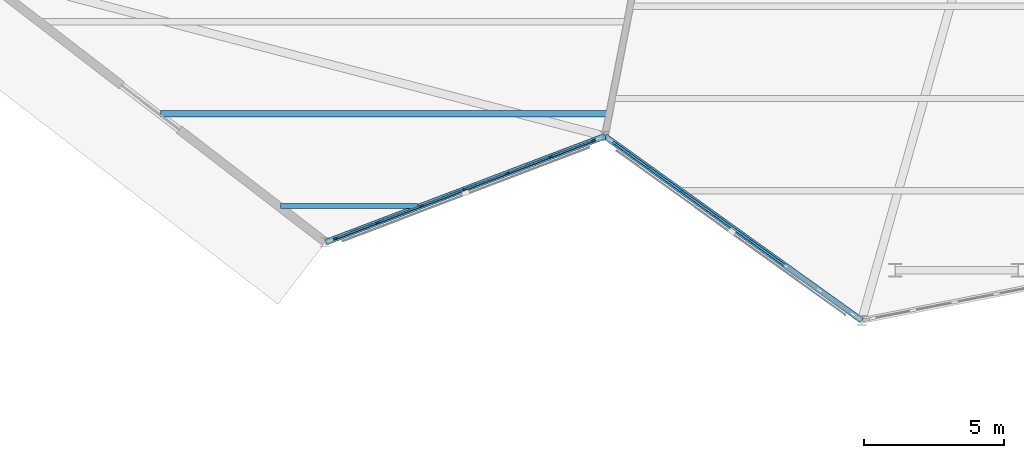
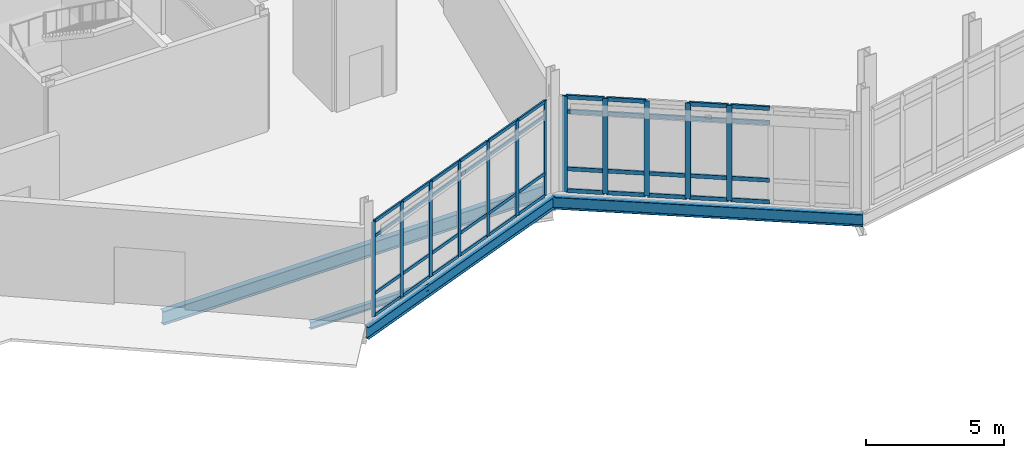
# One storey, part 36 of 113: 55 members, 4 beams, 2 elements without a shape of their own.
"""IFC4 building model written with IfcOpenShell, lengths in metres."""

from ifc_helpers import new_model, si_unit, direction, frame, origin, origin_2d, place, context, subcontext, project, spatial, rectangle, i_section, extrude, material, material_profile, profile_set, type_object, element, aggregate, save


model = new_model("IFC4")

# Units and contexts
model_context = context("Model", 3, precision=1e-05, world=origin(), true_north=direction((0.0, 1.0)))
body_context = subcontext(model_context, "Body", "Model", "MODEL_VIEW")
ifc_project = project(units=[si_unit("LENGTHUNIT", "METRE"), si_unit("AREAUNIT", "SQUARE_METRE"), si_unit("VOLUMEUNIT", "CUBIC_METRE"), si_unit("PLANEANGLEUNIT", "RADIAN"), si_unit("MASSUNIT", "GRAM", prefix="KILO")], contexts=[model_context])

# Site, building, storey
site_placement = place(None, origin())
site = spatial("IfcSite", under=ifc_project, at=site_placement, CompositionType="ELEMENT")
building_placement = place(site_placement, origin())
building = spatial("IfcBuilding", under=site, at=building_placement, Name="Tameran Prism Museum", CompositionType="ELEMENT")
storey_placement = place(building_placement, origin())
storey = spatial("IfcBuildingStorey", under=building, at=storey_placement, Name="L00", CompositionType="ELEMENT", Elevation=0.0)

# Beams
ifc_material_1 = material(Name="Steel Grade 300PLUS (300 MPa)", Category="steel")
ifc_material_profile_1 = material_profile(ifc_material_1, i_section(OverallWidth=0.166015625, OverallDepth=0.306884765625, WebThickness=0.006591796875, FlangeThickness=0.01171875, FilletRadius=0.011474609375, at=origin_2d()))
ifc_profile_set_1 = profile_set([ifc_material_profile_1])
beam_type_1 = type_object("IfcBeamType", Name="BM-J310A", PredefinedType="JOIST", material=ifc_profile_set_1)
beam_1_placement = place(storey_placement, frame((109.076904296875, 19.800048828125, -0.3935546875), z_axis=(1.0, 0.0, 0.0), x_axis=(0.0, 1.0, 0.0)))
element("IfcBeam", 1, at=beam_1_placement, inside=storey, type_object=beam_type_1, Name="Floor Beam BM-0228", PredefinedType="JOIST", context=body_context, shape_type="SweptSolid", body=[
    extrude(i_section(OverallWidth=0.166015625, OverallDepth=0.306884765625, WebThickness=0.006591796875, FlangeThickness=0.01171875, FilletRadius=0.011474609375, at=origin_2d()), origin(), (0.0, 0.0, 1.0), 4.93115234375),
])
ifc_material_2 = material(Name="Steel Grade 300PLUS (300 MPa)", Category="steel")
ifc_material_profile_2 = material_profile(ifc_material_2, i_section(OverallWidth=0.208984375, OverallDepth=0.532958984375, WebThickness=0.01025390625, FlangeThickness=0.015625, FilletRadius=0.013916015625, at=origin_2d()))
ifc_profile_set_2 = profile_set([ifc_material_profile_2])
beam_type_2 = type_object("IfcBeamType", Name="BM-SP530A", PredefinedType="SPANDREL", material=ifc_profile_set_2)
beam_2_placement = place(storey_placement, frame((110.699951171875, 18.5, -0.506591796875), z_axis=(0.934782064974, 0.355221749056, 0.0), x_axis=(-0.355221749056, 0.934782064974, 0.0)))
element("IfcBeam", 2, at=beam_2_placement, inside=storey, type_object=beam_type_2, Name="Perimeter Spandrel SP-0038", PredefinedType="SPANDREL", context=body_context, shape_type="SweptSolid", body=[
    extrude(i_section(OverallWidth=0.208984375, OverallDepth=0.532958984375, WebThickness=0.01025390625, FlangeThickness=0.015625, FilletRadius=0.013916015625, at=origin_2d()), origin(), (0.0, 0.0, 1.0), 10.69775390625),
])
beam_3_placement = place(storey_placement, frame((120.699951171875, 22.300048828125, -0.506591796875), z_axis=(0.812532700231, -0.582915612293, 0.0), x_axis=(0.582915612293, 0.812532700231, 0.0)))
element("IfcBeam", 3, at=beam_3_placement, inside=storey, type_object=beam_type_2, Name="Perimeter Spandrel SP-0043", PredefinedType="SPANDREL", context=body_context, shape_type="SweptSolid", body=[
    extrude(i_section(OverallWidth=0.208984375, OverallDepth=0.532958984375, WebThickness=0.01025390625, FlangeThickness=0.015625, FilletRadius=0.013916015625, at=origin_2d()), origin(), (0.0, 0.0, 1.0), 11.322509765625),
])
ifc_material_3 = material(Name="Steel Grade 300PLUS (300 MPa)", Category="steel")
ifc_material_profile_3 = material_profile(ifc_material_3, i_section(OverallWidth=0.22802734375, OverallDepth=0.60693359375, WebThickness=0.01123046875, FlangeThickness=0.017333984375, FilletRadius=0.013916015625, at=origin_2d()))
ifc_profile_set_3 = profile_set([ifc_material_profile_3])
beam_type_3 = type_object("IfcBeamType", Name="BM-UB610B", PredefinedType="BEAM", material=ifc_profile_set_3)
beam_4_placement = place(storey_placement, frame((104.7900390625, 23.10009765625, -0.54345703125), z_axis=(1.0, 0.0, 0.0), x_axis=(0.0, 1.0, 0.0)))
element("IfcBeam", 4, at=beam_4_placement, inside=storey, type_object=beam_type_3, Name="Floor Beam BM-0229", PredefinedType="BEAM", context=body_context, shape_type="SweptSolid", body=[
    extrude(i_section(OverallWidth=0.22802734375, OverallDepth=0.60693359375, WebThickness=0.01123046875, FlangeThickness=0.017333984375, FilletRadius=0.013916015625, at=origin_2d()), origin(), (0.0, 0.0, 1.0), 16.02490234375),
])

# Curtain wall, members
ifc_material_4 = material(Name="Anodised Aluminium 6063-T6 and Cyclone Solar Glass", Category="aluminium")
curtain_wall_type_1 = type_object("IfcCurtainWallType", Name="CW-FAC-994x422", PredefinedType="USERDEFINED", material=ifc_material_4)
curtain_wall_1_placement = place(storey_placement, origin())
curtain_wall_1 = element("IfcCurtainWall", 5, at=curtain_wall_1_placement, inside=storey, type_object=curtain_wall_type_1, Name="Unitised Curtain Wall CW-035", ObjectType="UNITISED CURTAIN WALL", PredefinedType="USERDEFINED")
ifc_material_5 = material(Name="Anodised Aluminium Alloy 6063-T6", Category="aluminium")
ifc_material_profile_4 = material_profile(ifc_material_5, rectangle(XDim=0.06494140625, YDim=0.159912109375, at=origin_2d()))
ifc_profile_set_4 = profile_set([ifc_material_profile_4])
member_type_1 = type_object("IfcMemberType", Name="CW-MUL-A", PredefinedType="MULLION", material=ifc_profile_set_4)
member_1_placement = place(storey_placement, frame((120.28662109375, 22.1435546875, 0.0), z_axis=(0.0, 0.0, 1.0), x_axis=(0.355288098442, -0.934756849189, 0.0)))
member_1 = element("IfcMember", 6, at=member_1_placement, type_object=member_type_1, Name="CW-035 mullion 1", PredefinedType="MULLION", context=body_context, shape_type="SweptSolid", body=[
    extrude(rectangle(XDim=0.06494140625, YDim=0.159912109375, at=origin_2d()), origin(), (0.0, 0.0, 1.0), 4.219970703125),
])
member_2_placement = place(storey_placement, frame((118.7685546875, 21.56640625, 0.0), z_axis=(0.0, 0.0, 1.0), x_axis=(0.355288098442, -0.934756849189, 0.0)))
member_2 = element("IfcMember", 7, at=member_2_placement, type_object=member_type_1, Name="CW-035 mullion 2", PredefinedType="MULLION", context=body_context, shape_type="SweptSolid", body=[
    extrude(rectangle(XDim=0.06494140625, YDim=0.159912109375, at=origin_2d()), origin(), (0.0, 0.0, 1.0), 4.219970703125),
])
member_3_placement = place(storey_placement, frame((117.22021484375, 20.97802734375, 0.0), z_axis=(0.0, 0.0, 1.0), x_axis=(0.355288098442, -0.934756849189, 0.0)))
member_3 = element("IfcMember", 8, at=member_3_placement, type_object=member_type_1, Name="CW-035 mullion 3", PredefinedType="MULLION", context=body_context, shape_type="SweptSolid", body=[
    extrude(rectangle(XDim=0.06494140625, YDim=0.159912109375, at=origin_2d()), origin(), (0.0, 0.0, 1.0), 4.219970703125),
])
member_4_placement = place(storey_placement, frame((115.672119140625, 20.389404296875, 0.0), z_axis=(0.0, 0.0, 1.0), x_axis=(0.355288098442, -0.934756849189, 0.0)))
member_4 = element("IfcMember", 9, at=member_4_placement, type_object=member_type_1, Name="CW-035 mullion 4", PredefinedType="MULLION", context=body_context, shape_type="SweptSolid", body=[
    extrude(rectangle(XDim=0.06494140625, YDim=0.159912109375, at=origin_2d()), origin(), (0.0, 0.0, 1.0), 4.219970703125),
])
member_5_placement = place(storey_placement, frame((114.123779296875, 19.801025390625, 0.0), z_axis=(0.0, 0.0, 1.0), x_axis=(0.355288098442, -0.934756849189, 0.0)))
member_5 = element("IfcMember", 10, at=member_5_placement, type_object=member_type_1, Name="CW-035 mullion 5", PredefinedType="MULLION", context=body_context, shape_type="SweptSolid", body=[
    extrude(rectangle(XDim=0.06494140625, YDim=0.159912109375, at=origin_2d()), origin(), (0.0, 0.0, 1.0), 4.219970703125),
])
member_6_placement = place(storey_placement, frame((112.575439453125, 19.21240234375, 0.0), z_axis=(0.0, 0.0, 1.0), x_axis=(0.355288098442, -0.934756849189, 0.0)))
member_6 = element("IfcMember", 11, at=member_6_placement, type_object=member_type_1, Name="CW-035 mullion 6", PredefinedType="MULLION", context=body_context, shape_type="SweptSolid", body=[
    extrude(rectangle(XDim=0.06494140625, YDim=0.159912109375, at=origin_2d()), origin(), (0.0, 0.0, 1.0), 4.219970703125),
])
member_7_placement = place(storey_placement, frame((111.057373046875, 18.635498046875, 0.0), z_axis=(0.0, 0.0, 1.0), x_axis=(0.355288098442, -0.934756849189, 0.0)))
member_7 = element("IfcMember", 12, at=member_7_placement, type_object=member_type_1, Name="CW-035 mullion 7", PredefinedType="MULLION", context=body_context, shape_type="SweptSolid", body=[
    extrude(rectangle(XDim=0.06494140625, YDim=0.159912109375, at=origin_2d()), origin(), (0.0, 0.0, 1.0), 4.219970703125),
])

ifc_material_6 = material(Name="Anodised Aluminium 6063-T6 and Cyclone Solar Glass", Category="aluminium")
curtain_wall_type_2 = type_object("IfcCurtainWallType", Name="CW-FAC-1056x422", PredefinedType="USERDEFINED", material=ifc_material_6)
curtain_wall_2_placement = place(storey_placement, origin())
curtain_wall_2 = element("IfcCurtainWall", 13, at=curtain_wall_2_placement, inside=storey, type_object=curtain_wall_type_2, Name="Unitised Curtain Wall CW-037", ObjectType="UNITISED CURTAIN WALL", PredefinedType="USERDEFINED")
ifc_material_7 = material(Name="Anodised Aluminium Alloy 6063-T6", Category="aluminium")
ifc_material_profile_5 = material_profile(ifc_material_7, rectangle(XDim=0.074951171875, YDim=0.199951171875, at=origin_2d()))
ifc_profile_set_5 = profile_set([ifc_material_profile_5])
member_type_2 = type_object("IfcMemberType", Name="CW-MUL-C", PredefinedType="MULLION", material=ifc_profile_set_5)
member_8_placement = place(storey_placement, frame((125.9375, 18.542724609375, 0.0), z_axis=(0.0, 0.0, 1.0), x_axis=(-0.582884776259, -0.812554821293, 0.0)))
member_8 = element("IfcMember", 14, at=member_8_placement, type_object=member_type_2, Name="CW-037 mullion 4", PredefinedType="MULLION", context=body_context, shape_type="SweptSolid", body=[
    extrude(rectangle(XDim=0.074951171875, YDim=0.199951171875, at=origin_2d()), origin(), (0.0, 0.0, 1.0), 4.219970703125),
])
member_9_placement = place(storey_placement, frame((124.71142578125, 19.42236328125, 0.0), z_axis=(0.0, 0.0, 1.0), x_axis=(-0.582884776259, -0.812554821293, 0.0)))
member_9 = element("IfcMember", 15, at=member_9_placement, type_object=member_type_2, Name="CW-037 mullion 5", PredefinedType="MULLION", context=body_context, shape_type="SweptSolid", body=[
    extrude(rectangle(XDim=0.074951171875, YDim=0.199951171875, at=origin_2d()), origin(), (0.0, 0.0, 1.0), 4.219970703125),
])
member_10_placement = place(storey_placement, frame((123.4853515625, 20.3017578125, 0.0), z_axis=(0.0, 0.0, 1.0), x_axis=(-0.582884776259, -0.812554821293, 0.0)))
member_10 = element("IfcMember", 16, at=member_10_placement, type_object=member_type_2, Name="CW-037 mullion 6", PredefinedType="MULLION", context=body_context, shape_type="SweptSolid", body=[
    extrude(rectangle(XDim=0.074951171875, YDim=0.199951171875, at=origin_2d()), origin(), (0.0, 0.0, 1.0), 4.219970703125),
])
member_11_placement = place(storey_placement, frame((122.259033203125, 21.181396484375, 0.0), z_axis=(0.0, 0.0, 1.0), x_axis=(-0.582884776259, -0.812554821293, 0.0)))
member_11 = element("IfcMember", 17, at=member_11_placement, type_object=member_type_2, Name="CW-037 mullion 7", PredefinedType="MULLION", context=body_context, shape_type="SweptSolid", body=[
    extrude(rectangle(XDim=0.074951171875, YDim=0.199951171875, at=origin_2d()), origin(), (0.0, 0.0, 1.0), 4.219970703125),
])
member_12_placement = place(storey_placement, frame((121.0634765625, 22.0390625, 0.0), z_axis=(0.0, 0.0, 1.0), x_axis=(-0.582884776259, -0.812554821293, 0.0)))
member_12 = element("IfcMember", 18, at=member_12_placement, type_object=member_type_2, Name="CW-037 mullion 8", PredefinedType="MULLION", context=body_context, shape_type="SweptSolid", body=[
    extrude(rectangle(XDim=0.074951171875, YDim=0.199951171875, at=origin_2d()), origin(), (0.0, 0.0, 1.0), 4.219970703125),
])

# Member
ifc_material_8 = material(Name="Anodised Aluminium Alloy 6063-T6", Category="aluminium")
ifc_material_profile_6 = material_profile(ifc_material_8, rectangle(XDim=0.06494140625, YDim=0.139892578125, at=origin_2d()))
ifc_profile_set_6 = profile_set([ifc_material_profile_6])
member_type_3 = type_object("IfcMemberType", Name="CW-TRN-A", PredefinedType="USERDEFINED", material=ifc_profile_set_6)
member_13_placement = place(storey_placement, frame((120.25634765625, 22.1318359375, 0.032470703125), z_axis=(-0.934795020557, -0.355187653983, 0.0), x_axis=(0.355187653983, -0.934795020557, 0.0)))
member_13 = element("IfcMember", 19, at=member_13_placement, type_object=member_type_3, Name="CW-035 transom 1.1", ObjectType="TRANSOM", PredefinedType="USERDEFINED", context=body_context, shape_type="SweptSolid", body=[
    extrude(rectangle(XDim=0.06494140625, YDim=0.139892578125, at=origin_2d()), origin(), (0.0, 0.0, 1.0), 1.558837890625),
])

member_14_placement = place(storey_placement, frame((120.25634765625, 22.1318359375, 1.0), z_axis=(-0.934795020557, -0.355187653983, 0.0), x_axis=(0.355187653983, -0.934795020557, 0.0)))
member_14 = element("IfcMember", 20, at=member_14_placement, type_object=member_type_3, Name="CW-035 transom 1.2", ObjectType="TRANSOM", PredefinedType="USERDEFINED", context=body_context, shape_type="SweptSolid", body=[
    extrude(rectangle(XDim=0.06494140625, YDim=0.139892578125, at=origin_2d()), origin(), (0.0, 0.0, 1.0), 1.558837890625),
])

member_15_placement = place(storey_placement, frame((120.25634765625, 22.1318359375, 3.5400390625), z_axis=(-0.934795020557, -0.355187653983, 0.0), x_axis=(0.355187653983, -0.934795020557, 0.0)))
member_15 = element("IfcMember", 21, at=member_15_placement, type_object=member_type_3, Name="CW-035 transom 1.3", ObjectType="TRANSOM", PredefinedType="USERDEFINED", context=body_context, shape_type="SweptSolid", body=[
    extrude(rectangle(XDim=0.06494140625, YDim=0.139892578125, at=origin_2d()), origin(), (0.0, 0.0, 1.0), 1.558837890625),
])

member_16_placement = place(storey_placement, frame((120.25634765625, 22.1318359375, 4.1875), z_axis=(-0.934795020557, -0.355187653983, 0.0), x_axis=(0.355187653983, -0.934795020557, 0.0)))
member_16 = element("IfcMember", 22, at=member_16_placement, type_object=member_type_3, Name="CW-035 transom 1.4", ObjectType="TRANSOM", PredefinedType="USERDEFINED", context=body_context, shape_type="SweptSolid", body=[
    extrude(rectangle(XDim=0.06494140625, YDim=0.139892578125, at=origin_2d()), origin(), (0.0, 0.0, 1.0), 1.558837890625),
])

member_17_placement = place(storey_placement, frame((118.73828125, 21.554931640625, 0.032470703125), z_axis=(-0.934749955143, -0.355306236027, 0.0), x_axis=(0.355306236027, -0.934749955143, 0.0)))
member_17 = element("IfcMember", 23, at=member_17_placement, type_object=member_type_3, Name="CW-035 transom 2.1", ObjectType="TRANSOM", PredefinedType="USERDEFINED", context=body_context, shape_type="SweptSolid", body=[
    extrude(rectangle(XDim=0.06494140625, YDim=0.139892578125, at=origin_2d()), origin(), (0.0, 0.0, 1.0), 1.59130859375),
])

member_18_placement = place(storey_placement, frame((118.73828125, 21.554931640625, 1.0), z_axis=(-0.934749955143, -0.355306236027, 0.0), x_axis=(0.355306236027, -0.934749955143, 0.0)))
member_18 = element("IfcMember", 24, at=member_18_placement, type_object=member_type_3, Name="CW-035 transom 2.2", ObjectType="TRANSOM", PredefinedType="USERDEFINED", context=body_context, shape_type="SweptSolid", body=[
    extrude(rectangle(XDim=0.06494140625, YDim=0.139892578125, at=origin_2d()), origin(), (0.0, 0.0, 1.0), 1.59130859375),
])

member_19_placement = place(storey_placement, frame((118.73828125, 21.554931640625, 3.5400390625), z_axis=(-0.934749955143, -0.355306236027, 0.0), x_axis=(0.355306236027, -0.934749955143, 0.0)))
member_19 = element("IfcMember", 25, at=member_19_placement, type_object=member_type_3, Name="CW-035 transom 2.3", ObjectType="TRANSOM", PredefinedType="USERDEFINED", context=body_context, shape_type="SweptSolid", body=[
    extrude(rectangle(XDim=0.06494140625, YDim=0.139892578125, at=origin_2d()), origin(), (0.0, 0.0, 1.0), 1.59130859375),
])

member_20_placement = place(storey_placement, frame((118.73828125, 21.554931640625, 4.1875), z_axis=(-0.934749955143, -0.355306236027, 0.0), x_axis=(0.355306236027, -0.934749955143, 0.0)))
member_20 = element("IfcMember", 26, at=member_20_placement, type_object=member_type_3, Name="CW-035 transom 2.4", ObjectType="TRANSOM", PredefinedType="USERDEFINED", context=body_context, shape_type="SweptSolid", body=[
    extrude(rectangle(XDim=0.06494140625, YDim=0.139892578125, at=origin_2d()), origin(), (0.0, 0.0, 1.0), 1.59130859375),
])

member_21_placement = place(storey_placement, frame((117.18994140625, 20.966552734375, 0.032470703125), z_axis=(-0.934749955143, -0.355306236027, 0.0), x_axis=(0.355306236027, -0.934749955143, 0.0)))
member_21 = element("IfcMember", 27, at=member_21_placement, type_object=member_type_3, Name="CW-035 transom 3.1", ObjectType="TRANSOM", PredefinedType="USERDEFINED", context=body_context, shape_type="SweptSolid", body=[
    extrude(rectangle(XDim=0.06494140625, YDim=0.139892578125, at=origin_2d()), origin(), (0.0, 0.0, 1.0), 1.59130859375),
])

member_22_placement = place(storey_placement, frame((117.18994140625, 20.966552734375, 1.0), z_axis=(-0.934749955143, -0.355306236027, 0.0), x_axis=(0.355306236027, -0.934749955143, 0.0)))
member_22 = element("IfcMember", 28, at=member_22_placement, type_object=member_type_3, Name="CW-035 transom 3.2", ObjectType="TRANSOM", PredefinedType="USERDEFINED", context=body_context, shape_type="SweptSolid", body=[
    extrude(rectangle(XDim=0.06494140625, YDim=0.139892578125, at=origin_2d()), origin(), (0.0, 0.0, 1.0), 1.59130859375),
])

member_23_placement = place(storey_placement, frame((117.18994140625, 20.966552734375, 3.5400390625), z_axis=(-0.934749955143, -0.355306236027, 0.0), x_axis=(0.355306236027, -0.934749955143, 0.0)))
member_23 = element("IfcMember", 29, at=member_23_placement, type_object=member_type_3, Name="CW-035 transom 3.3", ObjectType="TRANSOM", PredefinedType="USERDEFINED", context=body_context, shape_type="SweptSolid", body=[
    extrude(rectangle(XDim=0.06494140625, YDim=0.139892578125, at=origin_2d()), origin(), (0.0, 0.0, 1.0), 1.59130859375),
])

member_24_placement = place(storey_placement, frame((117.18994140625, 20.966552734375, 4.1875), z_axis=(-0.934749955143, -0.355306236027, 0.0), x_axis=(0.355306236027, -0.934749955143, 0.0)))
member_24 = element("IfcMember", 30, at=member_24_placement, type_object=member_type_3, Name="CW-035 transom 3.4", ObjectType="TRANSOM", PredefinedType="USERDEFINED", context=body_context, shape_type="SweptSolid", body=[
    extrude(rectangle(XDim=0.06494140625, YDim=0.139892578125, at=origin_2d()), origin(), (0.0, 0.0, 1.0), 1.59130859375),
])

member_25_placement = place(storey_placement, frame((115.6416015625, 20.3779296875, 0.032470703125), z_axis=(-0.934749955143, -0.355306236027, 0.0), x_axis=(0.355306236027, -0.934749955143, 0.0)))
member_25 = element("IfcMember", 31, at=member_25_placement, type_object=member_type_3, Name="CW-035 transom 4.1", ObjectType="TRANSOM", PredefinedType="USERDEFINED", context=body_context, shape_type="SweptSolid", body=[
    extrude(rectangle(XDim=0.06494140625, YDim=0.139892578125, at=origin_2d()), origin(), (0.0, 0.0, 1.0), 1.59130859375),
])

member_26_placement = place(storey_placement, frame((115.6416015625, 20.3779296875, 1.0), z_axis=(-0.934749955143, -0.355306236027, 0.0), x_axis=(0.355306236027, -0.934749955143, 0.0)))
member_26 = element("IfcMember", 32, at=member_26_placement, type_object=member_type_3, Name="CW-035 transom 4.2", ObjectType="TRANSOM", PredefinedType="USERDEFINED", context=body_context, shape_type="SweptSolid", body=[
    extrude(rectangle(XDim=0.06494140625, YDim=0.139892578125, at=origin_2d()), origin(), (0.0, 0.0, 1.0), 1.59130859375),
])

member_27_placement = place(storey_placement, frame((115.6416015625, 20.3779296875, 3.5400390625), z_axis=(-0.934749955143, -0.355306236027, 0.0), x_axis=(0.355306236027, -0.934749955143, 0.0)))
member_27 = element("IfcMember", 33, at=member_27_placement, type_object=member_type_3, Name="CW-035 transom 4.3", ObjectType="TRANSOM", PredefinedType="USERDEFINED", context=body_context, shape_type="SweptSolid", body=[
    extrude(rectangle(XDim=0.06494140625, YDim=0.139892578125, at=origin_2d()), origin(), (0.0, 0.0, 1.0), 1.59130859375),
])

member_28_placement = place(storey_placement, frame((115.6416015625, 20.3779296875, 4.1875), z_axis=(-0.934749955143, -0.355306236027, 0.0), x_axis=(0.355306236027, -0.934749955143, 0.0)))
member_28 = element("IfcMember", 34, at=member_28_placement, type_object=member_type_3, Name="CW-035 transom 4.4", ObjectType="TRANSOM", PredefinedType="USERDEFINED", context=body_context, shape_type="SweptSolid", body=[
    extrude(rectangle(XDim=0.06494140625, YDim=0.139892578125, at=origin_2d()), origin(), (0.0, 0.0, 1.0), 1.59130859375),
])

member_29_placement = place(storey_placement, frame((114.09326171875, 19.78955078125, 0.032470703125), z_axis=(-0.934749955143, -0.355306236027, 0.0), x_axis=(0.355306236027, -0.934749955143, 0.0)))
member_29 = element("IfcMember", 35, at=member_29_placement, type_object=member_type_3, Name="CW-035 transom 5.1", ObjectType="TRANSOM", PredefinedType="USERDEFINED", context=body_context, shape_type="SweptSolid", body=[
    extrude(rectangle(XDim=0.06494140625, YDim=0.139892578125, at=origin_2d()), origin(), (0.0, 0.0, 1.0), 1.59130859375),
])

member_30_placement = place(storey_placement, frame((114.09326171875, 19.78955078125, 1.0), z_axis=(-0.934749955143, -0.355306236027, 0.0), x_axis=(0.355306236027, -0.934749955143, 0.0)))
member_30 = element("IfcMember", 36, at=member_30_placement, type_object=member_type_3, Name="CW-035 transom 5.2", ObjectType="TRANSOM", PredefinedType="USERDEFINED", context=body_context, shape_type="SweptSolid", body=[
    extrude(rectangle(XDim=0.06494140625, YDim=0.139892578125, at=origin_2d()), origin(), (0.0, 0.0, 1.0), 1.59130859375),
])

member_31_placement = place(storey_placement, frame((114.09326171875, 19.78955078125, 3.5400390625), z_axis=(-0.934749955143, -0.355306236027, 0.0), x_axis=(0.355306236027, -0.934749955143, 0.0)))
member_31 = element("IfcMember", 37, at=member_31_placement, type_object=member_type_3, Name="CW-035 transom 5.3", ObjectType="TRANSOM", PredefinedType="USERDEFINED", context=body_context, shape_type="SweptSolid", body=[
    extrude(rectangle(XDim=0.06494140625, YDim=0.139892578125, at=origin_2d()), origin(), (0.0, 0.0, 1.0), 1.59130859375),
])

member_32_placement = place(storey_placement, frame((114.09326171875, 19.78955078125, 4.1875), z_axis=(-0.934749955143, -0.355306236027, 0.0), x_axis=(0.355306236027, -0.934749955143, 0.0)))
member_32 = element("IfcMember", 38, at=member_32_placement, type_object=member_type_3, Name="CW-035 transom 5.4", ObjectType="TRANSOM", PredefinedType="USERDEFINED", context=body_context, shape_type="SweptSolid", body=[
    extrude(rectangle(XDim=0.06494140625, YDim=0.139892578125, at=origin_2d()), origin(), (0.0, 0.0, 1.0), 1.59130859375),
])

member_33_placement = place(storey_placement, frame((112.544921875, 19.200927734375, 0.032470703125), z_axis=(-0.934743015143, -0.355324493443, 0.0), x_axis=(0.355324493443, -0.934743015143, 0.0)))
member_33 = element("IfcMember", 39, at=member_33_placement, type_object=member_type_3, Name="CW-035 transom 6.1", ObjectType="TRANSOM", PredefinedType="USERDEFINED", context=body_context, shape_type="SweptSolid", body=[
    extrude(rectangle(XDim=0.06494140625, YDim=0.139892578125, at=origin_2d()), origin(), (0.0, 0.0, 1.0), 1.55908203125),
])

member_34_placement = place(storey_placement, frame((112.544921875, 19.200927734375, 1.0), z_axis=(-0.934743015143, -0.355324493443, 0.0), x_axis=(0.355324493443, -0.934743015143, 0.0)))
member_34 = element("IfcMember", 40, at=member_34_placement, type_object=member_type_3, Name="CW-035 transom 6.2", ObjectType="TRANSOM", PredefinedType="USERDEFINED", context=body_context, shape_type="SweptSolid", body=[
    extrude(rectangle(XDim=0.06494140625, YDim=0.139892578125, at=origin_2d()), origin(), (0.0, 0.0, 1.0), 1.55908203125),
])

member_35_placement = place(storey_placement, frame((112.544921875, 19.200927734375, 3.5400390625), z_axis=(-0.934743015143, -0.355324493443, 0.0), x_axis=(0.355324493443, -0.934743015143, 0.0)))
member_35 = element("IfcMember", 41, at=member_35_placement, type_object=member_type_3, Name="CW-035 transom 6.3", ObjectType="TRANSOM", PredefinedType="USERDEFINED", context=body_context, shape_type="SweptSolid", body=[
    extrude(rectangle(XDim=0.06494140625, YDim=0.139892578125, at=origin_2d()), origin(), (0.0, 0.0, 1.0), 1.55908203125),
])

member_36_placement = place(storey_placement, frame((112.544921875, 19.200927734375, 4.1875), z_axis=(-0.934743015143, -0.355324493443, 0.0), x_axis=(0.355324493443, -0.934743015143, 0.0)))
member_36 = element("IfcMember", 42, at=member_36_placement, type_object=member_type_3, Name="CW-035 transom 6.4", ObjectType="TRANSOM", PredefinedType="USERDEFINED", context=body_context, shape_type="SweptSolid", body=[
    extrude(rectangle(XDim=0.06494140625, YDim=0.139892578125, at=origin_2d()), origin(), (0.0, 0.0, 1.0), 1.55908203125),
])

aggregate(curtain_wall_1, [member_1, member_2, member_3, member_4, member_5, member_6, member_7, member_13, member_14, member_15, member_16, member_17, member_18, member_19, member_20, member_21, member_22, member_23, member_24, member_25, member_26, member_27, member_28, member_29, member_30, member_31, member_32, member_33, member_34, member_35, member_36])

ifc_material_9 = material(Name="Anodised Aluminium Alloy 6063-T6", Category="aluminium")
ifc_material_profile_7 = material_profile(ifc_material_9, rectangle(XDim=0.074951171875, YDim=0.175048828125, at=origin_2d()))
ifc_profile_set_7 = profile_set([ifc_material_profile_7])
member_type_4 = type_object("IfcMemberType", Name="CW-TRN-C", PredefinedType="USERDEFINED", material=ifc_profile_set_7)
member_37_placement = place(storey_placement, frame((127.13330078125, 17.68505859375, 0.03759765625), z_axis=(-0.812627644927, 0.582783245042, 0.0), x_axis=(-0.582783245042, -0.812627644927, 0.0)))
member_37 = element("IfcMember", 43, at=member_37_placement, type_object=member_type_4, Name="CW-037 transom 3.1", ObjectType="TRANSOM", PredefinedType="USERDEFINED", context=body_context, shape_type="SweptSolid", body=[
    extrude(rectangle(XDim=0.074951171875, YDim=0.175048828125, at=origin_2d()), origin(), (0.0, 0.0, 1.0), 1.43408203125),
])

member_38_placement = place(storey_placement, frame((127.13330078125, 17.68505859375, 1.0), z_axis=(-0.812627644927, 0.582783245042, 0.0), x_axis=(-0.582783245042, -0.812627644927, 0.0)))
member_38 = element("IfcMember", 44, at=member_38_placement, type_object=member_type_4, Name="CW-037 transom 3.2", ObjectType="TRANSOM", PredefinedType="USERDEFINED", context=body_context, shape_type="SweptSolid", body=[
    extrude(rectangle(XDim=0.074951171875, YDim=0.175048828125, at=origin_2d()), origin(), (0.0, 0.0, 1.0), 1.43408203125),
])

member_39_placement = place(storey_placement, frame((127.13330078125, 17.68505859375, 3.5400390625), z_axis=(-0.812627644927, 0.582783245042, 0.0), x_axis=(-0.582783245042, -0.812627644927, 0.0)))
member_39 = element("IfcMember", 45, at=member_39_placement, type_object=member_type_4, Name="CW-037 transom 3.3", ObjectType="TRANSOM", PredefinedType="USERDEFINED", context=body_context, shape_type="SweptSolid", body=[
    extrude(rectangle(XDim=0.074951171875, YDim=0.175048828125, at=origin_2d()), origin(), (0.0, 0.0, 1.0), 1.43408203125),
])

member_40_placement = place(storey_placement, frame((127.13330078125, 17.68505859375, 4.1826171875), z_axis=(-0.812627644927, 0.582783245042, 0.0), x_axis=(-0.582783245042, -0.812627644927, 0.0)))
member_40 = element("IfcMember", 46, at=member_40_placement, type_object=member_type_4, Name="CW-037 transom 3.4", ObjectType="TRANSOM", PredefinedType="USERDEFINED", context=body_context, shape_type="SweptSolid", body=[
    extrude(rectangle(XDim=0.074951171875, YDim=0.175048828125, at=origin_2d()), origin(), (0.0, 0.0, 1.0), 1.43408203125),
])

member_41_placement = place(storey_placement, frame((125.906982421875, 18.564453125, 0.03759765625), z_axis=(-0.81248916136, 0.582976296835, 0.0), x_axis=(-0.582976296835, -0.81248916136, 0.0)))
member_41 = element("IfcMember", 47, at=member_41_placement, type_object=member_type_4, Name="CW-037 transom 4.1", ObjectType="TRANSOM", PredefinedType="USERDEFINED", context=body_context, shape_type="SweptSolid", body=[
    extrude(rectangle(XDim=0.074951171875, YDim=0.175048828125, at=origin_2d()), origin(), (0.0, 0.0, 1.0), 1.433837890625),
])

member_42_placement = place(storey_placement, frame((125.906982421875, 18.564453125, 1.0), z_axis=(-0.81248916136, 0.582976296835, 0.0), x_axis=(-0.582976296835, -0.81248916136, 0.0)))
member_42 = element("IfcMember", 48, at=member_42_placement, type_object=member_type_4, Name="CW-037 transom 4.2", ObjectType="TRANSOM", PredefinedType="USERDEFINED", context=body_context, shape_type="SweptSolid", body=[
    extrude(rectangle(XDim=0.074951171875, YDim=0.175048828125, at=origin_2d()), origin(), (0.0, 0.0, 1.0), 1.433837890625),
])

member_43_placement = place(storey_placement, frame((125.906982421875, 18.564453125, 3.5400390625), z_axis=(-0.81248916136, 0.582976296835, 0.0), x_axis=(-0.582976296835, -0.81248916136, 0.0)))
member_43 = element("IfcMember", 49, at=member_43_placement, type_object=member_type_4, Name="CW-037 transom 4.3", ObjectType="TRANSOM", PredefinedType="USERDEFINED", context=body_context, shape_type="SweptSolid", body=[
    extrude(rectangle(XDim=0.074951171875, YDim=0.175048828125, at=origin_2d()), origin(), (0.0, 0.0, 1.0), 1.433837890625),
])

member_44_placement = place(storey_placement, frame((125.906982421875, 18.564453125, 4.1826171875), z_axis=(-0.81248916136, 0.582976296835, 0.0), x_axis=(-0.582976296835, -0.81248916136, 0.0)))
member_44 = element("IfcMember", 50, at=member_44_placement, type_object=member_type_4, Name="CW-037 transom 4.4", ObjectType="TRANSOM", PredefinedType="USERDEFINED", context=body_context, shape_type="SweptSolid", body=[
    extrude(rectangle(XDim=0.074951171875, YDim=0.175048828125, at=origin_2d()), origin(), (0.0, 0.0, 1.0), 1.433837890625),
])

member_45_placement = place(storey_placement, frame((124.680908203125, 19.444091796875, 0.03759765625), z_axis=(-0.81248916136, 0.582976296835, 0.0), x_axis=(-0.582976296835, -0.81248916136, 0.0)))
member_45 = element("IfcMember", 51, at=member_45_placement, type_object=member_type_4, Name="CW-037 transom 5.1", ObjectType="TRANSOM", PredefinedType="USERDEFINED", context=body_context, shape_type="SweptSolid", body=[
    extrude(rectangle(XDim=0.074951171875, YDim=0.175048828125, at=origin_2d()), origin(), (0.0, 0.0, 1.0), 1.433837890625),
])

member_46_placement = place(storey_placement, frame((124.680908203125, 19.444091796875, 1.0), z_axis=(-0.81248916136, 0.582976296835, 0.0), x_axis=(-0.582976296835, -0.81248916136, 0.0)))
member_46 = element("IfcMember", 52, at=member_46_placement, type_object=member_type_4, Name="CW-037 transom 5.2", ObjectType="TRANSOM", PredefinedType="USERDEFINED", context=body_context, shape_type="SweptSolid", body=[
    extrude(rectangle(XDim=0.074951171875, YDim=0.175048828125, at=origin_2d()), origin(), (0.0, 0.0, 1.0), 1.433837890625),
])

member_47_placement = place(storey_placement, frame((124.680908203125, 19.444091796875, 3.5400390625), z_axis=(-0.81248916136, 0.582976296835, 0.0), x_axis=(-0.582976296835, -0.81248916136, 0.0)))
member_47 = element("IfcMember", 53, at=member_47_placement, type_object=member_type_4, Name="CW-037 transom 5.3", ObjectType="TRANSOM", PredefinedType="USERDEFINED", context=body_context, shape_type="SweptSolid", body=[
    extrude(rectangle(XDim=0.074951171875, YDim=0.175048828125, at=origin_2d()), origin(), (0.0, 0.0, 1.0), 1.433837890625),
])

member_48_placement = place(storey_placement, frame((123.454833984375, 20.32373046875, 0.03759765625), z_axis=(-0.812547014752, 0.582895658603, 0.0), x_axis=(-0.582895658603, -0.812547014752, 0.0)))
member_48 = element("IfcMember", 54, at=member_48_placement, type_object=member_type_4, Name="CW-037 transom 6.1", ObjectType="TRANSOM", PredefinedType="USERDEFINED", context=body_context, shape_type="SweptSolid", body=[
    extrude(rectangle(XDim=0.074951171875, YDim=0.175048828125, at=origin_2d()), origin(), (0.0, 0.0, 1.0), 1.43408203125),
])

member_49_placement = place(storey_placement, frame((123.454833984375, 20.32373046875, 1.0), z_axis=(-0.812547014752, 0.582895658603, 0.0), x_axis=(-0.582895658603, -0.812547014752, 0.0)))
member_49 = element("IfcMember", 55, at=member_49_placement, type_object=member_type_4, Name="CW-037 transom 6.2", ObjectType="TRANSOM", PredefinedType="USERDEFINED", context=body_context, shape_type="SweptSolid", body=[
    extrude(rectangle(XDim=0.074951171875, YDim=0.175048828125, at=origin_2d()), origin(), (0.0, 0.0, 1.0), 1.43408203125),
])

member_50_placement = place(storey_placement, frame((123.454833984375, 20.32373046875, 3.5400390625), z_axis=(-0.812547014752, 0.582895658603, 0.0), x_axis=(-0.582895658603, -0.812547014752, 0.0)))
member_50 = element("IfcMember", 56, at=member_50_placement, type_object=member_type_4, Name="CW-037 transom 6.3", ObjectType="TRANSOM", PredefinedType="USERDEFINED", context=body_context, shape_type="SweptSolid", body=[
    extrude(rectangle(XDim=0.074951171875, YDim=0.175048828125, at=origin_2d()), origin(), (0.0, 0.0, 1.0), 1.43408203125),
])

member_51_placement = place(storey_placement, frame((123.454833984375, 20.32373046875, 4.1826171875), z_axis=(-0.812547014752, 0.582895658603, 0.0), x_axis=(-0.582895658603, -0.812547014752, 0.0)))
member_51 = element("IfcMember", 57, at=member_51_placement, type_object=member_type_4, Name="CW-037 transom 6.4", ObjectType="TRANSOM", PredefinedType="USERDEFINED", context=body_context, shape_type="SweptSolid", body=[
    extrude(rectangle(XDim=0.074951171875, YDim=0.175048828125, at=origin_2d()), origin(), (0.0, 0.0, 1.0), 1.43408203125),
])

member_52_placement = place(storey_placement, frame((122.228759765625, 21.203369140625, 0.03759765625), z_axis=(-0.812574249937, 0.582857691327, 0.0), x_axis=(-0.582857691327, -0.812574249937, 0.0)))
member_52 = element("IfcMember", 58, at=member_52_placement, type_object=member_type_4, Name="CW-037 transom 7.1", ObjectType="TRANSOM", PredefinedType="USERDEFINED", context=body_context, shape_type="SweptSolid", body=[
    extrude(rectangle(XDim=0.074951171875, YDim=0.175048828125, at=origin_2d()), origin(), (0.0, 0.0, 1.0), 1.396484375),
])

member_53_placement = place(storey_placement, frame((122.228759765625, 21.203369140625, 1.0), z_axis=(-0.812574249937, 0.582857691327, 0.0), x_axis=(-0.582857691327, -0.812574249937, 0.0)))
member_53 = element("IfcMember", 59, at=member_53_placement, type_object=member_type_4, Name="CW-037 transom 7.2", ObjectType="TRANSOM", PredefinedType="USERDEFINED", context=body_context, shape_type="SweptSolid", body=[
    extrude(rectangle(XDim=0.074951171875, YDim=0.175048828125, at=origin_2d()), origin(), (0.0, 0.0, 1.0), 1.396484375),
])

member_54_placement = place(storey_placement, frame((122.228759765625, 21.203369140625, 3.5400390625), z_axis=(-0.812574249937, 0.582857691327, 0.0), x_axis=(-0.582857691327, -0.812574249937, 0.0)))
member_54 = element("IfcMember", 60, at=member_54_placement, type_object=member_type_4, Name="CW-037 transom 7.3", ObjectType="TRANSOM", PredefinedType="USERDEFINED", context=body_context, shape_type="SweptSolid", body=[
    extrude(rectangle(XDim=0.074951171875, YDim=0.175048828125, at=origin_2d()), origin(), (0.0, 0.0, 1.0), 1.396484375),
])

member_55_placement = place(storey_placement, frame((122.228759765625, 21.203369140625, 4.1826171875), z_axis=(-0.812574249937, 0.582857691327, 0.0), x_axis=(-0.582857691327, -0.812574249937, 0.0)))
member_55 = element("IfcMember", 61, at=member_55_placement, type_object=member_type_4, Name="CW-037 transom 7.4", ObjectType="TRANSOM", PredefinedType="USERDEFINED", context=body_context, shape_type="SweptSolid", body=[
    extrude(rectangle(XDim=0.074951171875, YDim=0.175048828125, at=origin_2d()), origin(), (0.0, 0.0, 1.0), 1.396484375),
])

aggregate(curtain_wall_2, [member_8, member_9, member_10, member_11, member_12, member_37, member_38, member_39, member_40, member_41, member_42, member_43, member_44, member_45, member_46, member_47, member_48, member_49, member_50, member_51, member_52, member_53, member_54, member_55])

save(model, "model.ifc")
